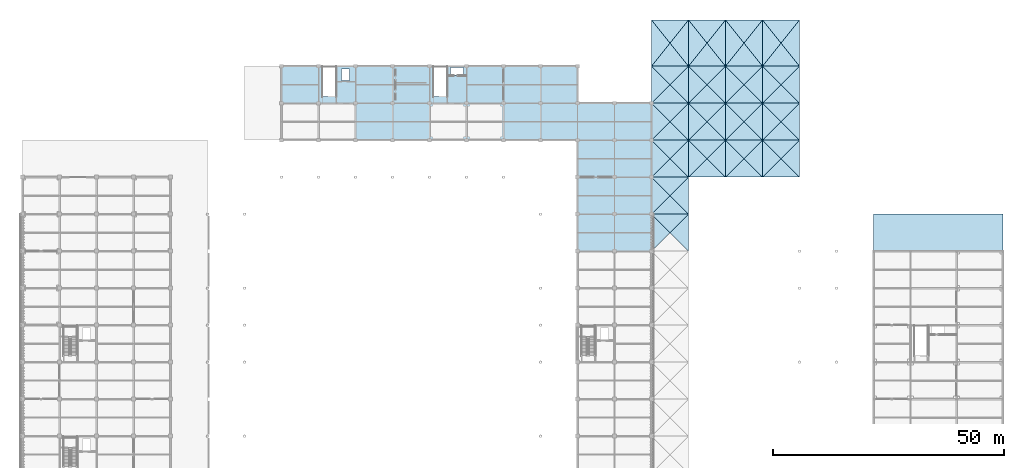
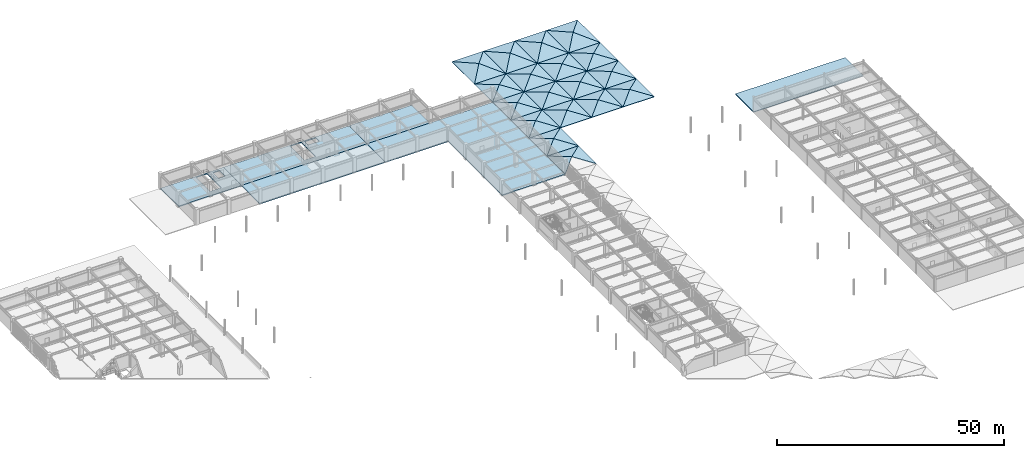
# One storey, part 45 of 78: 77 slabs.
"""IFC4 building model written with IfcOpenShell, lengths in metres."""

from ifc_helpers import new_model, si_unit, direction, frame, origin, place, context, subcontext, project, spatial, polyline, outline, extrude, material, layer, layer_set, type_object, element, save


model = new_model("IFC4")

# Units and contexts
model_context = context("Model", 3, precision=1e-05, world=origin(), true_north=direction((0.0, 1.0)))
body_context = subcontext(model_context, "Body", "Model", "MODEL_VIEW")
ifc_project = project(units=[si_unit("LENGTHUNIT", "METRE"), si_unit("AREAUNIT", "SQUARE_METRE"), si_unit("VOLUMEUNIT", "CUBIC_METRE"), si_unit("PLANEANGLEUNIT", "RADIAN"), si_unit("MASSUNIT", "GRAM", prefix="KILO")], contexts=[model_context])

# Site, building, storey
site_placement = place(None, origin())
site = spatial("IfcSite", under=ifc_project, at=site_placement, CompositionType="ELEMENT")
building_placement = place(site_placement, origin())
building = spatial("IfcBuilding", under=site, at=building_placement, Name="Haebicheon Civic Stadium", CompositionType="ELEMENT")
storey_placement = place(building_placement, frame((0.0, 0.0, 18.60009765625)))
storey = spatial("IfcBuildingStorey", under=building, at=storey_placement, Name="L05", CompositionType="ELEMENT", Elevation=18.60009765625)

# Slabs
ifc_material_1 = material(Name="Concrete C40/50", Category="concrete")
ifc_layer_1 = layer(ifc_material_1, 0.260009765625, Name="Concrete C40/50")
ifc_layer_set_1 = layer_set([ifc_layer_1], Name="Concrete C40/50")
slab_type_1 = type_object("IfcSlabType", Name="SLB-FLR-260", PredefinedType="FLOOR", material=ifc_layer_set_1)
slab_1_placement = place(storey_placement, frame((0.0, 0.0, -0.260009765625)))
element("IfcSlab", 1, at=slab_1_placement, inside=storey, type_object=slab_type_1, material=ifc_layer_set_1, Name="L05 V2 structural slab 2.1", PredefinedType="FLOOR", context=body_context, shape_type="SweptSolid", body=[
    extrude(outline(polyline([(80.0, 160.0), (80.0, 168.0), (88.0, 168.0), (96.0, 168.0), (96.0, 160.0), (88.0, 160.0), (80.0, 160.0)]), holes=[polyline([(88.840087890625, 161.4599609375), (91.739990234375, 161.4599609375), (91.739990234375, 167.840087890625), (88.840087890625, 167.840087890625), (88.840087890625, 161.4599609375)]), polyline([(92.969970703125, 164.929931640625), (94.669921875, 164.929931640625), (94.669921875, 167.429931640625), (92.969970703125, 167.429931640625), (92.969970703125, 164.929931640625)])]), origin(), (0.0, 0.0, 1.0), 0.260009765625),
])
slab_2_placement = place(storey_placement, frame((0.0, 0.0, -0.260009765625)))
element("IfcSlab", 2, at=slab_2_placement, inside=storey, type_object=slab_type_1, material=ifc_layer_set_1, Name="L05 V2 structural slab 3.1", PredefinedType="FLOOR", context=body_context, shape_type="SweptSolid", body=[
    extrude(outline(polyline([(96.0, 160.0), (104.0, 160.0), (112.0, 160.0), (120.0, 160.0), (128.0, 160.0), (128.0, 152.0), (120.0, 152.0), (112.0, 152.0), (104.0, 152.0), (96.0, 152.0), (96.0, 160.0)])), origin(), (0.0, 0.0, 1.0), 0.260009765625),
])
slab_3_placement = place(storey_placement, frame((0.0, 0.0, -0.260009765625)))
element("IfcSlab", 3, at=slab_3_placement, inside=storey, type_object=slab_type_1, material=ifc_layer_set_1, Name="L05 V2 structural slab 4.1", PredefinedType="FLOOR", context=body_context, shape_type="SweptSolid", body=[
    extrude(outline(polyline([(96.0, 168.0), (104.0, 168.0), (112.0, 168.0), (120.0, 168.0), (128.0, 168.0), (128.0, 160.0), (120.0, 160.0), (112.0, 160.0), (104.0, 160.0), (96.0, 160.0), (96.0, 168.0)]), holes=[polyline([(112.840087890625, 161.4599609375), (115.739990234375, 161.4599609375), (115.739990234375, 167.840087890625), (112.840087890625, 167.840087890625), (112.840087890625, 161.4599609375)]), polyline([(116.550048828125, 166.14990234375), (119.35009765625, 166.14990234375), (119.35009765625, 167.75), (116.550048828125, 167.75), (116.550048828125, 166.14990234375)])]), origin(), (0.0, 0.0, 1.0), 0.260009765625),
])
slab_4_placement = place(storey_placement, frame((0.0, 0.0, -0.260009765625)))
element("IfcSlab", 4, at=slab_4_placement, inside=storey, type_object=slab_type_1, material=ifc_layer_set_1, Name="L05 V2 structural slab 8.1", PredefinedType="FLOOR", context=body_context, shape_type="SweptSolid", body=[
    extrude(outline(polyline([(144.0, 144.0), (144.0, 152.0), (136.0, 152.0), (128.0, 152.0), (128.0, 160.0), (136.0, 160.0), (144.0, 160.0), (152.0, 160.0), (160.0, 160.0), (160.0, 152.0), (160.0, 144.0), (160.0, 136.0), (160.0, 128.0), (152.0, 128.0), (144.0, 128.0), (144.0, 136.0), (144.0, 144.0)])), origin(), (0.0, 0.0, 1.0), 0.260009765625),
])
slab_5_placement = place(storey_placement, frame((0.0, 0.0, -0.260009765625)))
element("IfcSlab", 5, at=slab_5_placement, inside=storey, type_object=slab_type_1, material=ifc_layer_set_1, Name="L05 V2 structural slab 9.1", PredefinedType="FLOOR", context=body_context, shape_type="SweptSolid", body=[
    extrude(outline(polyline([(128.0, 160.0), (128.0, 168.0), (136.0, 168.0), (144.0, 168.0), (144.0, 160.0), (136.0, 160.0), (128.0, 160.0)])), origin(), (0.0, 0.0, 1.0), 0.260009765625),
])
ifc_material_2 = material(Name="Precast concrete C40/50", Category="concrete")
ifc_layer_2 = layer(ifc_material_2, 0.169921875, Name="Precast concrete C40/50")
ifc_layer_set_2 = layer_set([ifc_layer_2], Name="Precast concrete C40/50")
slab_type_2 = type_object("IfcSlabType", Name="SLB-ROOF-170", PredefinedType="ROOF", material=ifc_layer_set_2)
for number, where, z_axis, x_axis, name in (
    (6, (168.0, 128.0, 0.02001953125), (0.21948952406, 0.0, 0.97561485681), (0.0, 1.0, 0.0), "L05 V4 folded shell roof facet 17.E"),
    (7, (168.0, 136.0, 0.02001953125), (0.0, 0.21948952406, 0.97561485681), (-1.0, 0.0, 0.0), "L05 V4 folded shell roof facet 17.N"),
    (8, (160.0, 136.0, 0.02001953125), (-0.21948952406, 0.0, 0.97561485681), (0.0, -1.0, 0.0), "L05 V4 folded shell roof facet 17.W"),
    (9, (160.0, 136.0, 0.02001953125), (0.0, -0.21948952406, 0.97561485681), (1.0, 0.0, 0.0), "L05 V4 folded shell roof facet 18.S"),
    (10, (168.0, 136.0, 0.02001953125), (0.21948952406, 0.0, 0.97561485681), (0.0, 1.0, 0.0), "L05 V4 folded shell roof facet 18.E"),
    (11, (168.0, 144.0, 0.02001953125), (0.0, 0.21948952406, 0.97561485681), (-1.0, 0.0, 0.0), "L05 V4 folded shell roof facet 18.N"),
    (12, (160.0, 144.0, 0.02001953125), (-0.21948952406, 0.0, 0.97561485681), (0.0, -1.0, 0.0), "L05 V4 folded shell roof facet 18.W"),
    (13, (160.0, 144.0, 0.02001953125), (0.0, -0.21948952406, 0.97561485681), (1.0, 0.0, 0.0), "L05 V4 folded shell roof facet 19.S"),
    (14, (168.0, 144.0, 0.02001953125), (0.21948952406, 0.0, 0.97561485681), (0.0, 1.0, 0.0), "L05 V4 folded shell roof facet 19.E"),
    (15, (168.0, 152.0, 0.02001953125), (0.0, 0.21948952406, 0.97561485681), (-1.0, 0.0, 0.0), "L05 V4 folded shell roof facet 19.N"),
    (16, (160.0, 152.0, 0.02001953125), (-0.21948952406, 0.0, 0.97561485681), (0.0, -1.0, 0.0), "L05 V4 folded shell roof facet 19.W"),
    (17, (160.0, 152.0, 0.02001953125), (0.0, -0.21948952406, 0.97561485681), (1.0, 0.0, 0.0), "L05 V4 folded shell roof facet 20.S"),
    (18, (168.0, 152.0, 0.02001953125), (0.21948952406, 0.0, 0.97561485681), (0.0, 1.0, 0.0), "L05 V4 folded shell roof facet 20.E"),
    (19, (168.0, 160.0, 0.02001953125), (0.0, 0.21948952406, 0.97561485681), (-1.0, 0.0, 0.0), "L05 V4 folded shell roof facet 20.N"),
    (20, (160.0, 160.0, 0.02001953125), (-0.21948952406, 0.0, 0.97561485681), (0.0, -1.0, 0.0), "L05 V4 folded shell roof facet 20.W"),
    (21, (160.0, 160.0, 0.02001953125), (0.0, -0.21948952406, 0.97561485681), (1.0, 0.0, 0.0), "L05 V4 folded shell roof facet 21.S"),
    (22, (168.0, 160.0, 0.02001953125), (0.21948952406, 0.0, 0.97561485681), (0.0, 1.0, 0.0), "L05 V4 folded shell roof facet 21.E"),
    (23, (168.0, 168.0, 0.02001953125), (0.0, 0.21948952406, 0.97561485681), (-1.0, 0.0, 0.0), "L05 V4 folded shell roof facet 21.N"),
    (24, (160.0, 168.0, 0.02001953125), (-0.21948952406, 0.0, 0.97561485681), (0.0, -1.0, 0.0), "L05 V4 folded shell roof facet 21.W"),
):
    element("IfcSlab", number, at=place(storey_placement, frame(where, z_axis=z_axis, x_axis=x_axis)), inside=storey, type_object=slab_type_2, material=ifc_layer_set_2, Name=name, PredefinedType="ROOF", context=body_context, shape_type="SweptSolid", body=[
        extrude(outline(polyline([(0.0, 0.0), (8.0, 0.0), (4.0, 4.099978564369178), (0.0, 0.0)])), origin(), (0.0, 0.0, -1.0), 0.169921875),
    ])
slab_6_placement = place(storey_placement, frame((160.0, 168.0, 0.02001953125), z_axis=(0.0, -0.22041874569, 0.975405339614), x_axis=(1.0, 0.0, 0.0)))
element("IfcSlab", 25, at=slab_6_placement, inside=storey, type_object=slab_type_2, material=ifc_layer_set_2, Name="L05 V4 folded shell roof facet 22.S", PredefinedType="ROOF", context=body_context, shape_type="SweptSolid", body=[
    extrude(outline(polyline([(0.0, 0.0), (8.0, 0.0), (4.0, 5.1260740503803595), (0.0, 0.0)])), origin(), (0.0, 0.0, -1.0), 0.169921875),
])
slab_7_placement = place(storey_placement, frame((168.0, 168.0, 0.02001953125), z_axis=(0.2718340284, 0.0, 0.962344148942), x_axis=(0.0, 1.0, 0.0)))
element("IfcSlab", 26, at=slab_7_placement, inside=storey, type_object=slab_type_2, material=ifc_layer_set_2, Name="L05 V4 folded shell roof facet 22.E", PredefinedType="ROOF", context=body_context, shape_type="SweptSolid", body=[
    extrude(outline(polyline([(0.0, 0.0), (10.0, 0.0), (5.0, 4.156517192311721), (0.0, 0.0)])), origin(), (0.0, 0.0, -1.0), 0.169921875),
])
slab_8_placement = place(storey_placement, frame((168.0, 178.0, 0.02001953125), z_axis=(0.0, 0.22041874569, 0.975405339614), x_axis=(-1.0, 0.0, 0.0)))
element("IfcSlab", 27, at=slab_8_placement, inside=storey, type_object=slab_type_2, material=ifc_layer_set_2, Name="L05 V4 folded shell roof facet 22.N", PredefinedType="ROOF", context=body_context, shape_type="SweptSolid", body=[
    extrude(outline(polyline([(0.0, 0.0), (8.0, 0.0), (4.0, 5.1260740503803595), (0.0, 0.0)])), origin(), (0.0, 0.0, -1.0), 0.169921875),
])
slab_9_placement = place(storey_placement, frame((160.0, 178.0, 0.02001953125), z_axis=(-0.2718340284, 0.0, 0.962344148942), x_axis=(0.0, -1.0, 0.0)))
element("IfcSlab", 28, at=slab_9_placement, inside=storey, type_object=slab_type_2, material=ifc_layer_set_2, Name="L05 V4 folded shell roof facet 22.W", PredefinedType="ROOF", context=body_context, shape_type="SweptSolid", body=[
    extrude(outline(polyline([(0.0, 0.0), (10.0, 0.0), (5.0, 4.156517192311721), (0.0, 0.0)])), origin(), (0.0, 0.0, -1.0), 0.169921875),
])
for number, where, z_axis, x_axis, name in (
    (29, (168.0, 144.0, 0.02001953125), (0.0, -0.21948952406, 0.97561485681), (1.0, 0.0, 0.0), "L05 V4 folded shell roof facet 27.S"),
    (30, (176.0, 144.0, 0.02001953125), (0.21948952406, 0.0, 0.97561485681), (0.0, 1.0, 0.0), "L05 V4 folded shell roof facet 27.E"),
    (31, (176.0, 152.0, 0.02001953125), (0.0, 0.21948952406, 0.97561485681), (-1.0, 0.0, 0.0), "L05 V4 folded shell roof facet 27.N"),
    (32, (168.0, 152.0, 0.02001953125), (-0.21948952406, 0.0, 0.97561485681), (0.0, -1.0, 0.0), "L05 V4 folded shell roof facet 27.W"),
    (33, (168.0, 152.0, 0.02001953125), (0.0, -0.21948952406, 0.97561485681), (1.0, 0.0, 0.0), "L05 V4 folded shell roof facet 28.S"),
    (34, (176.0, 152.0, 0.02001953125), (0.21948952406, 0.0, 0.97561485681), (0.0, 1.0, 0.0), "L05 V4 folded shell roof facet 28.E"),
    (35, (176.0, 160.0, 0.02001953125), (0.0, 0.21948952406, 0.97561485681), (-1.0, 0.0, 0.0), "L05 V4 folded shell roof facet 28.N"),
    (36, (168.0, 160.0, 0.02001953125), (-0.21948952406, 0.0, 0.97561485681), (0.0, -1.0, 0.0), "L05 V4 folded shell roof facet 28.W"),
    (37, (168.0, 160.0, 0.02001953125), (0.0, -0.21948952406, 0.97561485681), (1.0, 0.0, 0.0), "L05 V4 folded shell roof facet 29.S"),
    (38, (176.0, 160.0, 0.02001953125), (0.21948952406, 0.0, 0.97561485681), (0.0, 1.0, 0.0), "L05 V4 folded shell roof facet 29.E"),
    (39, (176.0, 168.0, 0.02001953125), (0.0, 0.21948952406, 0.97561485681), (-1.0, 0.0, 0.0), "L05 V4 folded shell roof facet 29.N"),
    (40, (168.0, 168.0, 0.02001953125), (-0.21948952406, 0.0, 0.97561485681), (0.0, -1.0, 0.0), "L05 V4 folded shell roof facet 29.W"),
):
    element("IfcSlab", number, at=place(storey_placement, frame(where, z_axis=z_axis, x_axis=x_axis)), inside=storey, type_object=slab_type_2, material=ifc_layer_set_2, Name=name, PredefinedType="ROOF", context=body_context, shape_type="SweptSolid", body=[
        extrude(outline(polyline([(0.0, 0.0), (8.0, 0.0), (4.0, 4.099978564369178), (0.0, 0.0)])), origin(), (0.0, 0.0, -1.0), 0.169921875),
    ])
slab_10_placement = place(storey_placement, frame((168.0, 168.0, 0.02001953125), z_axis=(0.0, -0.22041874569, 0.975405339614), x_axis=(1.0, 0.0, 0.0)))
element("IfcSlab", 41, at=slab_10_placement, inside=storey, type_object=slab_type_2, material=ifc_layer_set_2, Name="L05 V4 folded shell roof facet 30.S", PredefinedType="ROOF", context=body_context, shape_type="SweptSolid", body=[
    extrude(outline(polyline([(0.0, 0.0), (8.0, 0.0), (4.0, 5.1260740503803595), (0.0, 0.0)])), origin(), (0.0, 0.0, -1.0), 0.169921875),
])
slab_11_placement = place(storey_placement, frame((176.0, 168.0, 0.02001953125), z_axis=(0.2718340284, 0.0, 0.962344148942), x_axis=(0.0, 1.0, 0.0)))
element("IfcSlab", 42, at=slab_11_placement, inside=storey, type_object=slab_type_2, material=ifc_layer_set_2, Name="L05 V4 folded shell roof facet 30.E", PredefinedType="ROOF", context=body_context, shape_type="SweptSolid", body=[
    extrude(outline(polyline([(0.0, 0.0), (10.0, 0.0), (5.0, 4.156517192311721), (0.0, 0.0)])), origin(), (0.0, 0.0, -1.0), 0.169921875),
])
slab_12_placement = place(storey_placement, frame((176.0, 178.0, 0.02001953125), z_axis=(0.0, 0.22041874569, 0.975405339614), x_axis=(-1.0, 0.0, 0.0)))
element("IfcSlab", 43, at=slab_12_placement, inside=storey, type_object=slab_type_2, material=ifc_layer_set_2, Name="L05 V4 folded shell roof facet 30.N", PredefinedType="ROOF", context=body_context, shape_type="SweptSolid", body=[
    extrude(outline(polyline([(0.0, 0.0), (8.0, 0.0), (4.0, 5.1260740503803595), (0.0, 0.0)])), origin(), (0.0, 0.0, -1.0), 0.169921875),
])
slab_13_placement = place(storey_placement, frame((168.0, 178.0, 0.02001953125), z_axis=(-0.2718340284, 0.0, 0.962344148942), x_axis=(0.0, -1.0, 0.0)))
element("IfcSlab", 44, at=slab_13_placement, inside=storey, type_object=slab_type_2, material=ifc_layer_set_2, Name="L05 V4 folded shell roof facet 30.W", PredefinedType="ROOF", context=body_context, shape_type="SweptSolid", body=[
    extrude(outline(polyline([(0.0, 0.0), (10.0, 0.0), (5.0, 4.156517192311721), (0.0, 0.0)])), origin(), (0.0, 0.0, -1.0), 0.169921875),
])
for number, where, z_axis, x_axis, name in (
    (45, (176.0, 144.0, 0.02001953125), (0.0, -0.21948952406, 0.97561485681), (1.0, 0.0, 0.0), "L05 V4 folded shell roof facet 35.S"),
    (46, (184.0, 144.0, 0.02001953125), (0.21948952406, 0.0, 0.97561485681), (0.0, 1.0, 0.0), "L05 V4 folded shell roof facet 35.E"),
    (47, (184.0, 152.0, 0.02001953125), (0.0, 0.21948952406, 0.97561485681), (-1.0, 0.0, 0.0), "L05 V4 folded shell roof facet 35.N"),
    (48, (176.0, 152.0, 0.02001953125), (-0.21948952406, 0.0, 0.97561485681), (0.0, -1.0, 0.0), "L05 V4 folded shell roof facet 35.W"),
    (49, (176.0, 152.0, 0.02001953125), (0.0, -0.21948952406, 0.97561485681), (1.0, 0.0, 0.0), "L05 V4 folded shell roof facet 36.S"),
    (50, (184.0, 152.0, 0.02001953125), (0.21948952406, 0.0, 0.97561485681), (0.0, 1.0, 0.0), "L05 V4 folded shell roof facet 36.E"),
    (51, (184.0, 160.0, 0.02001953125), (0.0, 0.21948952406, 0.97561485681), (-1.0, 0.0, 0.0), "L05 V4 folded shell roof facet 36.N"),
    (52, (176.0, 160.0, 0.02001953125), (-0.21948952406, 0.0, 0.97561485681), (0.0, -1.0, 0.0), "L05 V4 folded shell roof facet 36.W"),
    (53, (176.0, 160.0, 0.02001953125), (0.0, -0.21948952406, 0.97561485681), (1.0, 0.0, 0.0), "L05 V4 folded shell roof facet 37.S"),
    (54, (184.0, 160.0, 0.02001953125), (0.21948952406, 0.0, 0.97561485681), (0.0, 1.0, 0.0), "L05 V4 folded shell roof facet 37.E"),
    (55, (184.0, 168.0, 0.02001953125), (0.0, 0.21948952406, 0.97561485681), (-1.0, 0.0, 0.0), "L05 V4 folded shell roof facet 37.N"),
    (56, (176.0, 168.0, 0.02001953125), (-0.21948952406, 0.0, 0.97561485681), (0.0, -1.0, 0.0), "L05 V4 folded shell roof facet 37.W"),
):
    element("IfcSlab", number, at=place(storey_placement, frame(where, z_axis=z_axis, x_axis=x_axis)), inside=storey, type_object=slab_type_2, material=ifc_layer_set_2, Name=name, PredefinedType="ROOF", context=body_context, shape_type="SweptSolid", body=[
        extrude(outline(polyline([(0.0, 0.0), (8.0, 0.0), (4.0, 4.099978564369178), (0.0, 0.0)])), origin(), (0.0, 0.0, -1.0), 0.169921875),
    ])
slab_14_placement = place(storey_placement, frame((176.0, 168.0, 0.02001953125), z_axis=(0.0, -0.22041874569, 0.975405339614), x_axis=(1.0, 0.0, 0.0)))
element("IfcSlab", 57, at=slab_14_placement, inside=storey, type_object=slab_type_2, material=ifc_layer_set_2, Name="L05 V4 folded shell roof facet 38.S", PredefinedType="ROOF", context=body_context, shape_type="SweptSolid", body=[
    extrude(outline(polyline([(0.0, 0.0), (8.0, 0.0), (4.0, 5.1260740503803595), (0.0, 0.0)])), origin(), (0.0, 0.0, -1.0), 0.169921875),
])
slab_15_placement = place(storey_placement, frame((184.0, 168.0, 0.02001953125), z_axis=(0.2718340284, 0.0, 0.962344148942), x_axis=(0.0, 1.0, 0.0)))
element("IfcSlab", 58, at=slab_15_placement, inside=storey, type_object=slab_type_2, material=ifc_layer_set_2, Name="L05 V4 folded shell roof facet 38.E", PredefinedType="ROOF", context=body_context, shape_type="SweptSolid", body=[
    extrude(outline(polyline([(0.0, 0.0), (10.0, 0.0), (5.0, 4.156517192311721), (0.0, 0.0)])), origin(), (0.0, 0.0, -1.0), 0.169921875),
])
slab_16_placement = place(storey_placement, frame((184.0, 178.0, 0.02001953125), z_axis=(0.0, 0.22041874569, 0.975405339614), x_axis=(-1.0, 0.0, 0.0)))
element("IfcSlab", 59, at=slab_16_placement, inside=storey, type_object=slab_type_2, material=ifc_layer_set_2, Name="L05 V4 folded shell roof facet 38.N", PredefinedType="ROOF", context=body_context, shape_type="SweptSolid", body=[
    extrude(outline(polyline([(0.0, 0.0), (8.0, 0.0), (4.0, 5.1260740503803595), (0.0, 0.0)])), origin(), (0.0, 0.0, -1.0), 0.169921875),
])
slab_17_placement = place(storey_placement, frame((176.0, 178.0, 0.02001953125), z_axis=(-0.2718340284, 0.0, 0.962344148942), x_axis=(0.0, -1.0, 0.0)))
element("IfcSlab", 60, at=slab_17_placement, inside=storey, type_object=slab_type_2, material=ifc_layer_set_2, Name="L05 V4 folded shell roof facet 38.W", PredefinedType="ROOF", context=body_context, shape_type="SweptSolid", body=[
    extrude(outline(polyline([(0.0, 0.0), (10.0, 0.0), (5.0, 4.156517192311721), (0.0, 0.0)])), origin(), (0.0, 0.0, -1.0), 0.169921875),
])
for number, where, z_axis, x_axis, name in (
    (61, (184.0, 144.0, 0.02001953125), (0.0, -0.21948952406, 0.97561485681), (1.0, 0.0, 0.0), "L05 V4 folded shell roof facet 43.S"),
    (62, (192.0, 144.0, 0.02001953125), (0.21948952406, 0.0, 0.97561485681), (0.0, 1.0, 0.0), "L05 V4 folded shell roof facet 43.E"),
    (63, (192.0, 152.0, 0.02001953125), (0.0, 0.21948952406, 0.97561485681), (-1.0, 0.0, 0.0), "L05 V4 folded shell roof facet 43.N"),
    (64, (184.0, 152.0, 0.02001953125), (-0.21948952406, 0.0, 0.97561485681), (0.0, -1.0, 0.0), "L05 V4 folded shell roof facet 43.W"),
    (65, (184.0, 152.0, 0.02001953125), (0.0, -0.21948952406, 0.97561485681), (1.0, 0.0, 0.0), "L05 V4 folded shell roof facet 44.S"),
    (66, (192.0, 152.0, 0.02001953125), (0.21948952406, 0.0, 0.97561485681), (0.0, 1.0, 0.0), "L05 V4 folded shell roof facet 44.E"),
    (67, (192.0, 160.0, 0.02001953125), (0.0, 0.21948952406, 0.97561485681), (-1.0, 0.0, 0.0), "L05 V4 folded shell roof facet 44.N"),
    (68, (184.0, 160.0, 0.02001953125), (-0.21948952406, 0.0, 0.97561485681), (0.0, -1.0, 0.0), "L05 V4 folded shell roof facet 44.W"),
    (69, (184.0, 160.0, 0.02001953125), (0.0, -0.21948952406, 0.97561485681), (1.0, 0.0, 0.0), "L05 V4 folded shell roof facet 45.S"),
    (70, (192.0, 160.0, 0.02001953125), (0.21948952406, 0.0, 0.97561485681), (0.0, 1.0, 0.0), "L05 V4 folded shell roof facet 45.E"),
    (71, (192.0, 168.0, 0.02001953125), (0.0, 0.21948952406, 0.97561485681), (-1.0, 0.0, 0.0), "L05 V4 folded shell roof facet 45.N"),
    (72, (184.0, 168.0, 0.02001953125), (-0.21948952406, 0.0, 0.97561485681), (0.0, -1.0, 0.0), "L05 V4 folded shell roof facet 45.W"),
):
    element("IfcSlab", number, at=place(storey_placement, frame(where, z_axis=z_axis, x_axis=x_axis)), inside=storey, type_object=slab_type_2, material=ifc_layer_set_2, Name=name, PredefinedType="ROOF", context=body_context, shape_type="SweptSolid", body=[
        extrude(outline(polyline([(0.0, 0.0), (8.0, 0.0), (4.0, 4.099978564369178), (0.0, 0.0)])), origin(), (0.0, 0.0, -1.0), 0.169921875),
    ])
slab_18_placement = place(storey_placement, frame((184.0, 168.0, 0.02001953125), z_axis=(0.0, -0.22041874569, 0.975405339614), x_axis=(1.0, 0.0, 0.0)))
element("IfcSlab", 73, at=slab_18_placement, inside=storey, type_object=slab_type_2, material=ifc_layer_set_2, Name="L05 V4 folded shell roof facet 46.S", PredefinedType="ROOF", context=body_context, shape_type="SweptSolid", body=[
    extrude(outline(polyline([(0.0, 0.0), (8.0, 0.0), (4.0, 5.1260740503803595), (0.0, 0.0)])), origin(), (0.0, 0.0, -1.0), 0.169921875),
])
slab_19_placement = place(storey_placement, frame((192.0, 168.0, 0.02001953125), z_axis=(0.2718340284, 0.0, 0.962344148942), x_axis=(0.0, 1.0, 0.0)))
element("IfcSlab", 74, at=slab_19_placement, inside=storey, type_object=slab_type_2, material=ifc_layer_set_2, Name="L05 V4 folded shell roof facet 46.E", PredefinedType="ROOF", context=body_context, shape_type="SweptSolid", body=[
    extrude(outline(polyline([(0.0, 0.0), (10.0, 0.0), (5.0, 4.156517192311721), (0.0, 0.0)])), origin(), (0.0, 0.0, -1.0), 0.169921875),
])
slab_20_placement = place(storey_placement, frame((192.0, 178.0, 0.02001953125), z_axis=(0.0, 0.22041874569, 0.975405339614), x_axis=(-1.0, 0.0, 0.0)))
element("IfcSlab", 75, at=slab_20_placement, inside=storey, type_object=slab_type_2, material=ifc_layer_set_2, Name="L05 V4 folded shell roof facet 46.N", PredefinedType="ROOF", context=body_context, shape_type="SweptSolid", body=[
    extrude(outline(polyline([(0.0, 0.0), (8.0, 0.0), (4.0, 5.1260740503803595), (0.0, 0.0)])), origin(), (0.0, 0.0, -1.0), 0.169921875),
])
slab_21_placement = place(storey_placement, frame((184.0, 178.0, 0.02001953125), z_axis=(-0.2718340284, 0.0, 0.962344148942), x_axis=(0.0, -1.0, 0.0)))
element("IfcSlab", 76, at=slab_21_placement, inside=storey, type_object=slab_type_2, material=ifc_layer_set_2, Name="L05 V4 folded shell roof facet 46.W", PredefinedType="ROOF", context=body_context, shape_type="SweptSolid", body=[
    extrude(outline(polyline([(0.0, 0.0), (10.0, 0.0), (5.0, 4.156517192311721), (0.0, 0.0)])), origin(), (0.0, 0.0, -1.0), 0.169921875),
])
ifc_material_3 = material(Name="Concrete C40/50", Category="concrete")
ifc_layer_3 = layer(ifc_material_3, 0.18994140625, Name="Concrete C40/50")
ifc_layer_set_3 = layer_set([ifc_layer_3], Name="Concrete C40/50")
slab_type_3 = type_object("IfcSlabType", Name="SLB-ROOF-190", PredefinedType="ROOF", material=ifc_layer_set_3)
slab_22_placement = place(storey_placement, frame((0.0, 0.0, -0.190185546875)))
element("IfcSlab", 77, at=slab_22_placement, inside=storey, type_object=slab_type_3, material=ifc_layer_set_3, Name="L05 V3 roof deck slab 2", PredefinedType="ROOF", context=body_context, shape_type="SweptSolid", body=[
    extrude(outline(polyline([(208.0, 136.0), (236.0, 136.0), (236.0, 128.0), (208.0, 128.0), (208.0, 136.0)])), origin(), (0.0, 0.0, 1.0), 0.190185546875),
])

save(model, "model.ifc")
